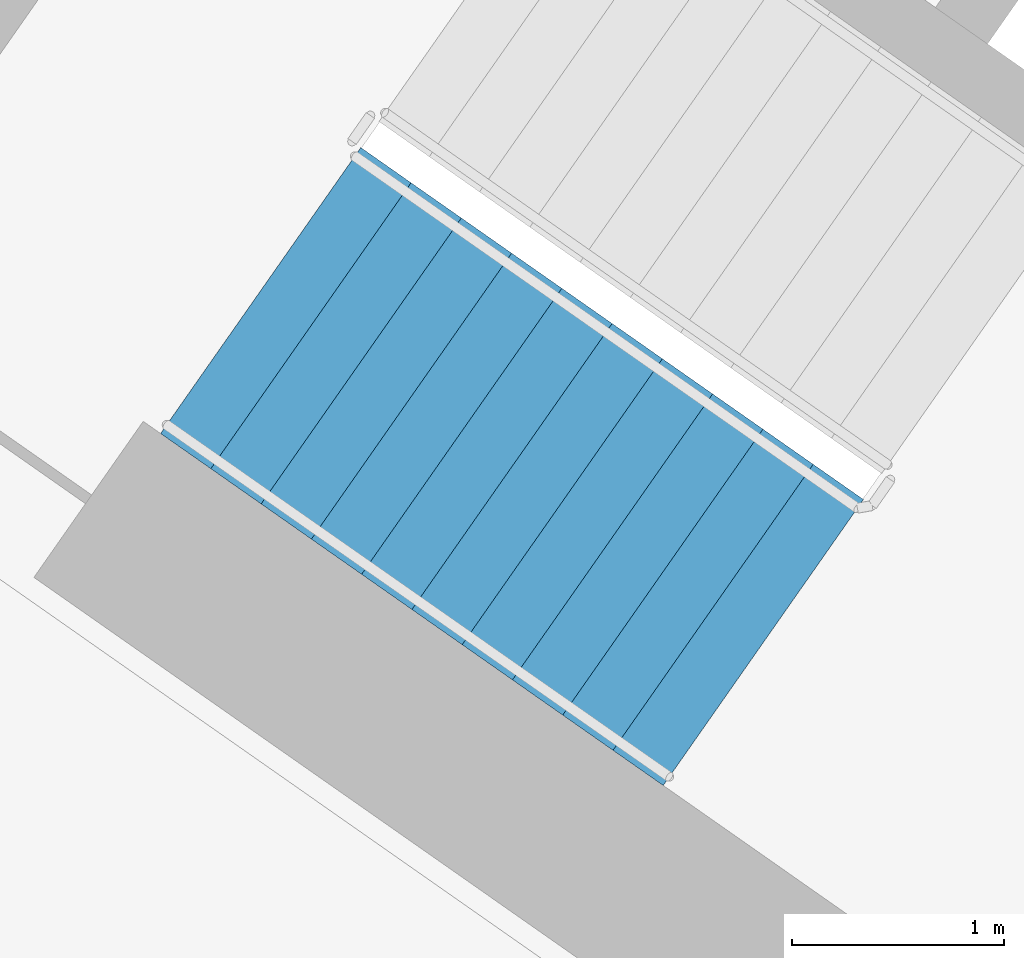
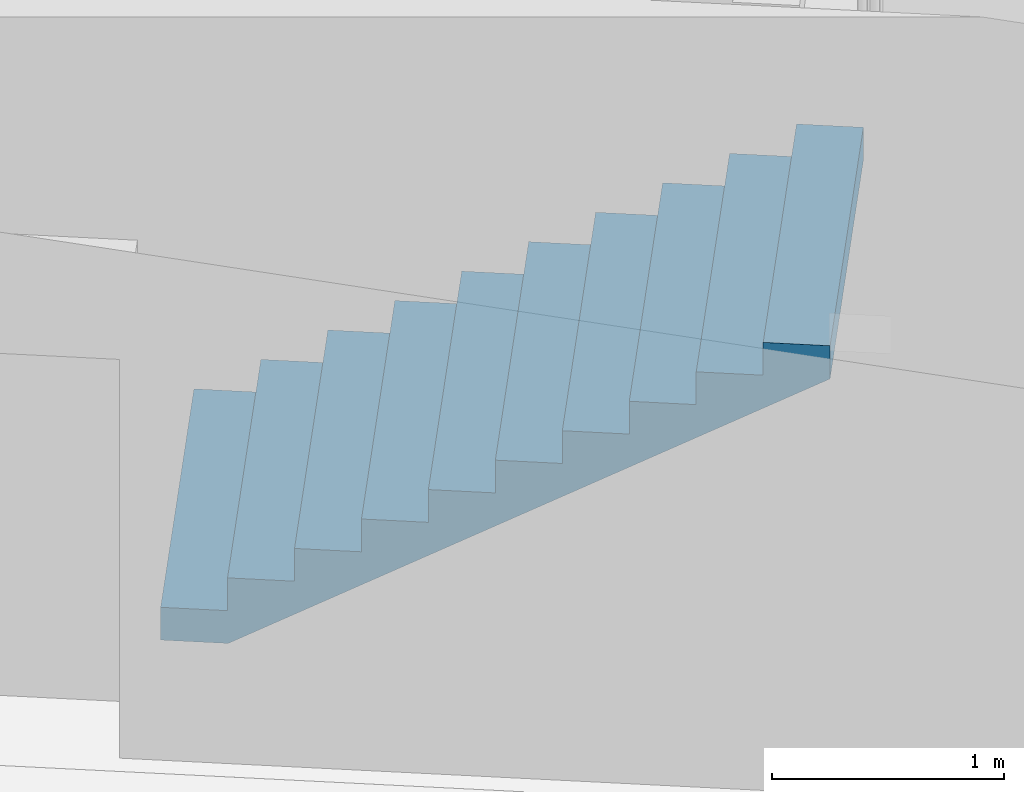
# One storey, part 11 of 30: 1 stair flight, 1 element without a shape of its own.
"""IFC4 building model written with IfcOpenShell, lengths in metres."""

from ifc_helpers import new_model, si_unit, direction, frame, origin, place, context, subcontext, project, spatial, faceted_brep, material, type_object, element, aggregate, save


model = new_model("IFC4")

# Units and contexts
model_context = context("Model", 3, precision=1e-05, world=origin(), true_north=direction((0.0, 1.0)))
body_context = subcontext(model_context, "Body", "Model", "MODEL_VIEW")
ifc_project = project(units=[si_unit("LENGTHUNIT", "METRE"), si_unit("AREAUNIT", "SQUARE_METRE"), si_unit("VOLUMEUNIT", "CUBIC_METRE"), si_unit("PLANEANGLEUNIT", "RADIAN"), si_unit("MASSUNIT", "GRAM", prefix="KILO")], contexts=[model_context])

# Site, building, storey
site_placement = place(None, origin())
site = spatial("IfcSite", under=ifc_project, at=site_placement, CompositionType="ELEMENT")
building_placement = place(site_placement, origin())
building = spatial("IfcBuilding", under=site, at=building_placement, Name="Qamariyya Broadcast Tower", CompositionType="ELEMENT")
storey_placement = place(building_placement, frame((0.0, 0.0, 125.300048828125)))
storey = spatial("IfcBuildingStorey", under=building, at=storey_placement, Name="L28", CompositionType="ELEMENT", Elevation=125.300048828125)

# Stair, stair flight
ifc_material = material(Name="Concrete C50/60", Category="concrete")
stair_type = type_object("IfcStairType", Name="Exit stair 22 risers of 173 mm", PredefinedType="HALF_TURN_STAIR", material=ifc_material)
stair_placement = place(storey_placement, origin())
stair = element("IfcStair", 1, at=stair_placement, inside=storey, type_object=stair_type, Name="L28 Stair W1", PredefinedType="HALF_TURN_STAIR")
stair_flight_type = type_object("IfcStairFlightType", Name="Exit stair flight 11 risers of 173 mm", PredefinedType="STRAIGHT", material=ifc_material)
stair_flight_placement = place(storey_placement, frame((-47.06884765625, -56.982666015625, 0.0), z_axis=(0.0, 0.0, 1.0), x_axis=(0.819152044289, -0.573576436351, 0.0)))
stair_flight = element("IfcStairFlight", 2, at=stair_flight_placement, type_object=stair_flight_type, Name="ST-W1 flight 1", NumberOfRisers=11, NumberOfTreads=10, PredefinedType="STRAIGHT", RiserHeight=0.172727273, TreadLength=0.29, context=body_context, shape_type="Brep", body=[
    faceted_brep([(0.0, 0.824951171875, 0.0), (0.0, 0.824951171875, 0.172607421875), (0.2900390625, 0.824951171875, 0.172607421875), (0.2900390625, 0.824951171875, 0.345458984375), (0.580078125, 0.824951171875, 0.345458984375), (0.580078125, 0.824951171875, 0.51806640625), (0.8701171875, 0.824951171875, 0.51806640625), (0.8701171875, 0.824951171875, 0.69091796875), (1.159912109375, 0.824951171875, 0.69091796875), (1.159912109375, 0.824951171875, 0.863525390625), (1.449951171875, 0.824951171875, 0.863525390625), (1.449951171875, 0.824951171875, 1.036376953125), (1.739990234375, 0.824951171875, 1.036376953125), (1.739990234375, 0.824951171875, 1.208984375), (2.030029296875, 0.824951171875, 1.208984375), (2.030029296875, 0.824951171875, 1.3818359375), (2.320068359375, 0.824951171875, 1.3818359375), (2.320068359375, 0.824951171875, 1.554443359375), (2.610107421875, 0.824951171875, 1.554443359375), (2.610107421875, 0.824951171875, 1.727294921875), (2.89990234375, 0.824951171875, 1.727294921875), (2.89990234375, 0.824951171875, 1.552734375), (0.29296875, 0.824951171875, 0.0), (0.29296875, -0.824951171875, 0.0), (2.89990234375, -0.824951171875, 1.552734375), (2.89990234375, -0.824951171875, 1.727294921875), (2.610107421875, -0.824951171875, 1.727294921875), (2.610107421875, -0.824951171875, 1.554443359375), (2.320068359375, -0.824951171875, 1.554443359375), (2.320068359375, -0.824951171875, 1.3818359375), (2.030029296875, -0.824951171875, 1.3818359375), (2.030029296875, -0.824951171875, 1.208984375), (1.739990234375, -0.824951171875, 1.208984375), (1.739990234375, -0.824951171875, 1.036376953125), (1.449951171875, -0.824951171875, 1.036376953125), (1.449951171875, -0.824951171875, 0.863525390625), (1.159912109375, -0.824951171875, 0.863525390625), (1.159912109375, -0.824951171875, 0.69091796875), (0.8701171875, -0.824951171875, 0.69091796875), (0.8701171875, -0.824951171875, 0.51806640625), (0.580078125, -0.824951171875, 0.51806640625), (0.580078125, -0.824951171875, 0.345458984375), (0.2900390625, -0.824951171875, 0.345458984375), (0.2900390625, -0.824951171875, 0.172607421875), (0.0, -0.824951171875, 0.172607421875), (0.0, -0.824951171875, 0.0), (0.0, 0.10009765625, 0.0), (0.0, 0.086669921875, 0.0), (0.0, 0.0732421875, 0.0), (0.0, 0.06005859375, 0.0), (0.0, 0.046630859375, 0.0), (0.0, 0.033447265625, 0.0), (0.0, 0.02001953125, 0.0), (0.0, 0.006591796875, 0.0), (0.0, -0.006591796875, 0.0), (0.0, -0.02001953125, 0.0), (0.0, -0.033447265625, 0.0), (0.0, -0.046630859375, 0.0), (0.0, -0.06005859375, 0.0), (0.0, -0.0732421875, 0.0), (0.0, -0.086669921875, 0.0), (0.0, -0.10009765625, 0.0), (0.0, -0.10009765625, 0.172607421875), (0.0, -0.086669921875, 0.172607421875), (0.0, -0.0732421875, 0.172607421875), (0.0, -0.06005859375, 0.172607421875), (0.0, -0.046630859375, 0.172607421875), (0.0, -0.033447265625, 0.172607421875), (0.0, -0.02001953125, 0.172607421875), (0.0, -0.006591796875, 0.172607421875), (0.0, 0.006591796875, 0.172607421875), (0.0, 0.02001953125, 0.172607421875), (0.0, 0.033447265625, 0.172607421875), (0.0, 0.046630859375, 0.172607421875), (0.0, 0.06005859375, 0.172607421875), (0.0, 0.0732421875, 0.172607421875), (0.0, 0.086669921875, 0.172607421875), (0.0, 0.10009765625, 0.172607421875), (0.2900390625, -0.10009765625, 0.172607421875), (0.2900390625, -0.086669921875, 0.172607421875), (0.2900390625, -0.0732421875, 0.172607421875), (0.2900390625, -0.06005859375, 0.172607421875), (0.2900390625, -0.046630859375, 0.172607421875), (0.2900390625, -0.033447265625, 0.172607421875), (0.2900390625, -0.02001953125, 0.172607421875), (0.2900390625, -0.006591796875, 0.172607421875), (0.2900390625, 0.006591796875, 0.172607421875), (0.2900390625, 0.02001953125, 0.172607421875), (0.2900390625, 0.033447265625, 0.172607421875), (0.2900390625, 0.046630859375, 0.172607421875), (0.2900390625, 0.06005859375, 0.172607421875), (0.2900390625, 0.0732421875, 0.172607421875), (0.2900390625, 0.086669921875, 0.172607421875), (0.2900390625, 0.10009765625, 0.172607421875), (0.2900390625, -0.10009765625, 0.345458984375), (0.2900390625, -0.086669921875, 0.345458984375), (0.2900390625, -0.0732421875, 0.345458984375), (0.2900390625, -0.06005859375, 0.345458984375), (0.2900390625, -0.046630859375, 0.345458984375), (0.2900390625, -0.033447265625, 0.345458984375), (0.2900390625, -0.02001953125, 0.345458984375), (0.2900390625, -0.006591796875, 0.345458984375), (0.2900390625, 0.006591796875, 0.345458984375), (0.2900390625, 0.02001953125, 0.345458984375), (0.2900390625, 0.033447265625, 0.345458984375), (0.2900390625, 0.046630859375, 0.345458984375), (0.2900390625, 0.06005859375, 0.345458984375), (0.2900390625, 0.0732421875, 0.345458984375), (0.2900390625, 0.086669921875, 0.345458984375), (0.2900390625, 0.10009765625, 0.345458984375), (0.580078125, -0.10009765625, 0.345458984375), (0.580078125, -0.086669921875, 0.345458984375), (0.580078125, -0.0732421875, 0.345458984375), (0.580078125, -0.06005859375, 0.345458984375), (0.580078125, -0.046630859375, 0.345458984375), (0.580078125, -0.033447265625, 0.345458984375), (0.580078125, -0.02001953125, 0.345458984375), (0.580078125, -0.006591796875, 0.345458984375), (0.580078125, 0.006591796875, 0.345458984375), (0.580078125, 0.02001953125, 0.345458984375), (0.580078125, 0.033447265625, 0.345458984375), (0.580078125, 0.046630859375, 0.345458984375), (0.580078125, 0.06005859375, 0.345458984375), (0.580078125, 0.0732421875, 0.345458984375), (0.580078125, 0.086669921875, 0.345458984375), (0.580078125, 0.10009765625, 0.345458984375), (0.580078125, -0.10009765625, 0.51806640625), (0.580078125, -0.086669921875, 0.51806640625), (0.580078125, -0.0732421875, 0.51806640625), (0.580078125, -0.06005859375, 0.51806640625), (0.580078125, -0.046630859375, 0.51806640625), (0.580078125, -0.033447265625, 0.51806640625), (0.580078125, -0.02001953125, 0.51806640625), (0.580078125, -0.006591796875, 0.51806640625), (0.580078125, 0.006591796875, 0.51806640625), (0.580078125, 0.02001953125, 0.51806640625), (0.580078125, 0.033447265625, 0.51806640625), (0.580078125, 0.046630859375, 0.51806640625), (0.580078125, 0.06005859375, 0.51806640625), (0.580078125, 0.0732421875, 0.51806640625), (0.580078125, 0.086669921875, 0.51806640625), (0.580078125, 0.10009765625, 0.51806640625), (0.8701171875, -0.10009765625, 0.51806640625), (0.8701171875, -0.086669921875, 0.51806640625), (0.8701171875, -0.0732421875, 0.51806640625), (0.8701171875, -0.06005859375, 0.51806640625), (0.8701171875, -0.046630859375, 0.51806640625), (0.8701171875, -0.033447265625, 0.51806640625), (0.8701171875, -0.02001953125, 0.51806640625), (0.8701171875, -0.006591796875, 0.51806640625), (0.8701171875, 0.006591796875, 0.51806640625), (0.8701171875, 0.02001953125, 0.51806640625), (0.8701171875, 0.033447265625, 0.51806640625), (0.8701171875, 0.046630859375, 0.51806640625), (0.8701171875, 0.06005859375, 0.51806640625), (0.8701171875, 0.0732421875, 0.51806640625), (0.8701171875, 0.086669921875, 0.51806640625), (0.8701171875, 0.10009765625, 0.51806640625), (0.8701171875, -0.10009765625, 0.69091796875), (0.8701171875, -0.086669921875, 0.69091796875), (0.8701171875, -0.0732421875, 0.69091796875), (0.8701171875, -0.06005859375, 0.69091796875), (0.8701171875, -0.046630859375, 0.69091796875), (0.8701171875, -0.033447265625, 0.69091796875), (0.8701171875, -0.02001953125, 0.69091796875), (0.8701171875, -0.006591796875, 0.69091796875), (0.8701171875, 0.006591796875, 0.69091796875), (0.8701171875, 0.02001953125, 0.69091796875), (0.8701171875, 0.033447265625, 0.69091796875), (0.8701171875, 0.046630859375, 0.69091796875), (0.8701171875, 0.06005859375, 0.69091796875), (0.8701171875, 0.0732421875, 0.69091796875), (0.8701171875, 0.086669921875, 0.69091796875), (0.8701171875, 0.10009765625, 0.69091796875), (1.159912109375, -0.10009765625, 0.69091796875), (1.159912109375, -0.086669921875, 0.69091796875), (1.159912109375, -0.0732421875, 0.69091796875), (1.159912109375, -0.06005859375, 0.69091796875), (1.159912109375, -0.046630859375, 0.69091796875), (1.159912109375, -0.033447265625, 0.69091796875), (1.159912109375, -0.02001953125, 0.69091796875), (1.159912109375, -0.006591796875, 0.69091796875), (1.159912109375, 0.006591796875, 0.69091796875), (1.159912109375, 0.02001953125, 0.69091796875), (1.159912109375, 0.033447265625, 0.69091796875), (1.159912109375, 0.046630859375, 0.69091796875), (1.159912109375, 0.06005859375, 0.69091796875), (1.159912109375, 0.0732421875, 0.69091796875), (1.159912109375, 0.086669921875, 0.69091796875), (1.159912109375, 0.10009765625, 0.69091796875), (1.159912109375, -0.10009765625, 0.863525390625), (1.159912109375, -0.086669921875, 0.863525390625), (1.159912109375, -0.0732421875, 0.863525390625), (1.159912109375, -0.06005859375, 0.863525390625), (1.159912109375, -0.046630859375, 0.863525390625), (1.159912109375, -0.033447265625, 0.863525390625), (1.159912109375, -0.02001953125, 0.863525390625), (1.159912109375, -0.006591796875, 0.863525390625), (1.159912109375, 0.006591796875, 0.863525390625), (1.159912109375, 0.02001953125, 0.863525390625), (1.159912109375, 0.033447265625, 0.863525390625), (1.159912109375, 0.046630859375, 0.863525390625), (1.159912109375, 0.06005859375, 0.863525390625), (1.159912109375, 0.0732421875, 0.863525390625), (1.159912109375, 0.086669921875, 0.863525390625), (1.159912109375, 0.10009765625, 0.863525390625), (1.449951171875, -0.10009765625, 0.863525390625), (1.449951171875, -0.086669921875, 0.863525390625), (1.449951171875, -0.0732421875, 0.863525390625), (1.449951171875, -0.06005859375, 0.863525390625), (1.449951171875, -0.046630859375, 0.863525390625), (1.449951171875, -0.033447265625, 0.863525390625), (1.449951171875, -0.02001953125, 0.863525390625), (1.449951171875, -0.006591796875, 0.863525390625), (1.449951171875, 0.006591796875, 0.863525390625), (1.449951171875, 0.02001953125, 0.863525390625), (1.449951171875, 0.033447265625, 0.863525390625), (1.449951171875, 0.046630859375, 0.863525390625), (1.449951171875, 0.06005859375, 0.863525390625), (1.449951171875, 0.0732421875, 0.863525390625), (1.449951171875, 0.086669921875, 0.863525390625), (1.449951171875, 0.10009765625, 0.863525390625), (1.449951171875, -0.10009765625, 1.036376953125), (1.449951171875, -0.086669921875, 1.036376953125), (1.449951171875, -0.0732421875, 1.036376953125), (1.449951171875, -0.06005859375, 1.036376953125), (1.449951171875, -0.046630859375, 1.036376953125), (1.449951171875, -0.033447265625, 1.036376953125), (1.449951171875, -0.02001953125, 1.036376953125), (1.449951171875, -0.006591796875, 1.036376953125), (1.449951171875, 0.006591796875, 1.036376953125), (1.449951171875, 0.02001953125, 1.036376953125), (1.449951171875, 0.033447265625, 1.036376953125), (1.449951171875, 0.046630859375, 1.036376953125), (1.449951171875, 0.06005859375, 1.036376953125), (1.449951171875, 0.0732421875, 1.036376953125), (1.449951171875, 0.086669921875, 1.036376953125), (1.449951171875, 0.10009765625, 1.036376953125), (1.739990234375, -0.10009765625, 1.036376953125), (1.739990234375, -0.086669921875, 1.036376953125), (1.739990234375, -0.0732421875, 1.036376953125), (1.739990234375, -0.06005859375, 1.036376953125), (1.739990234375, -0.046630859375, 1.036376953125), (1.739990234375, -0.033447265625, 1.036376953125), (1.739990234375, -0.02001953125, 1.036376953125), (1.739990234375, -0.006591796875, 1.036376953125), (1.739990234375, 0.006591796875, 1.036376953125), (1.739990234375, 0.02001953125, 1.036376953125), (1.739990234375, 0.033447265625, 1.036376953125), (1.739990234375, 0.046630859375, 1.036376953125), (1.739990234375, 0.06005859375, 1.036376953125), (1.739990234375, 0.0732421875, 1.036376953125), (1.739990234375, 0.086669921875, 1.036376953125), (1.739990234375, 0.10009765625, 1.036376953125), (1.739990234375, -0.10009765625, 1.208984375), (1.739990234375, -0.086669921875, 1.208984375), (1.739990234375, -0.0732421875, 1.208984375), (1.739990234375, -0.06005859375, 1.208984375), (1.739990234375, -0.046630859375, 1.208984375), (1.739990234375, -0.033447265625, 1.208984375), (1.739990234375, -0.02001953125, 1.208984375), (1.739990234375, -0.006591796875, 1.208984375), (1.739990234375, 0.006591796875, 1.208984375), (1.739990234375, 0.02001953125, 1.208984375), (1.739990234375, 0.033447265625, 1.208984375), (1.739990234375, 0.046630859375, 1.208984375), (1.739990234375, 0.06005859375, 1.208984375), (1.739990234375, 0.0732421875, 1.208984375), (1.739990234375, 0.086669921875, 1.208984375), (1.739990234375, 0.10009765625, 1.208984375), (2.030029296875, -0.10009765625, 1.208984375), (2.030029296875, -0.086669921875, 1.208984375), (2.030029296875, -0.0732421875, 1.208984375), (2.030029296875, -0.06005859375, 1.208984375), (2.030029296875, -0.046630859375, 1.208984375), (2.030029296875, -0.033447265625, 1.208984375), (2.030029296875, -0.02001953125, 1.208984375), (2.030029296875, -0.006591796875, 1.208984375), (2.030029296875, 0.006591796875, 1.208984375), (2.030029296875, 0.02001953125, 1.208984375), (2.030029296875, 0.033447265625, 1.208984375), (2.030029296875, 0.046630859375, 1.208984375), (2.030029296875, 0.06005859375, 1.208984375), (2.030029296875, 0.0732421875, 1.208984375), (2.030029296875, 0.086669921875, 1.208984375), (2.030029296875, 0.10009765625, 1.208984375), (2.030029296875, -0.10009765625, 1.3818359375), (2.030029296875, -0.086669921875, 1.3818359375), (2.030029296875, -0.0732421875, 1.3818359375), (2.030029296875, -0.06005859375, 1.3818359375), (2.030029296875, -0.046630859375, 1.3818359375), (2.030029296875, -0.033447265625, 1.3818359375), (2.030029296875, -0.02001953125, 1.3818359375), (2.030029296875, -0.006591796875, 1.3818359375), (2.030029296875, 0.006591796875, 1.3818359375), (2.030029296875, 0.02001953125, 1.3818359375), (2.030029296875, 0.033447265625, 1.3818359375), (2.030029296875, 0.046630859375, 1.3818359375), (2.030029296875, 0.06005859375, 1.3818359375), (2.030029296875, 0.0732421875, 1.3818359375), (2.030029296875, 0.086669921875, 1.3818359375), (2.030029296875, 0.10009765625, 1.3818359375), (2.320068359375, -0.10009765625, 1.3818359375), (2.320068359375, -0.086669921875, 1.3818359375), (2.320068359375, -0.0732421875, 1.3818359375), (2.320068359375, -0.06005859375, 1.3818359375), (2.320068359375, -0.046630859375, 1.3818359375), (2.320068359375, -0.033447265625, 1.3818359375), (2.320068359375, -0.02001953125, 1.3818359375), (2.320068359375, -0.006591796875, 1.3818359375), (2.320068359375, 0.006591796875, 1.3818359375), (2.320068359375, 0.02001953125, 1.3818359375), (2.320068359375, 0.033447265625, 1.3818359375), (2.320068359375, 0.046630859375, 1.3818359375), (2.320068359375, 0.06005859375, 1.3818359375), (2.320068359375, 0.0732421875, 1.3818359375), (2.320068359375, 0.086669921875, 1.3818359375), (2.320068359375, 0.10009765625, 1.3818359375), (2.320068359375, -0.10009765625, 1.554443359375), (2.320068359375, -0.086669921875, 1.554443359375), (2.320068359375, -0.0732421875, 1.554443359375), (2.320068359375, -0.06005859375, 1.554443359375), (2.320068359375, -0.046630859375, 1.554443359375), (2.320068359375, -0.033447265625, 1.554443359375), (2.320068359375, -0.02001953125, 1.554443359375), (2.320068359375, -0.006591796875, 1.554443359375), (2.320068359375, 0.006591796875, 1.554443359375), (2.320068359375, 0.02001953125, 1.554443359375), (2.320068359375, 0.033447265625, 1.554443359375), (2.320068359375, 0.046630859375, 1.554443359375), (2.320068359375, 0.06005859375, 1.554443359375), (2.320068359375, 0.0732421875, 1.554443359375), (2.320068359375, 0.086669921875, 1.554443359375), (2.320068359375, 0.10009765625, 1.554443359375), (2.610107421875, -0.10009765625, 1.554443359375), (2.610107421875, -0.086669921875, 1.554443359375), (2.610107421875, -0.0732421875, 1.554443359375), (2.610107421875, -0.06005859375, 1.554443359375), (2.610107421875, -0.046630859375, 1.554443359375), (2.610107421875, -0.033447265625, 1.554443359375), (2.610107421875, -0.02001953125, 1.554443359375), (2.610107421875, -0.006591796875, 1.554443359375), (2.610107421875, 0.006591796875, 1.554443359375), (2.610107421875, 0.02001953125, 1.554443359375), (2.610107421875, 0.033447265625, 1.554443359375), (2.610107421875, 0.046630859375, 1.554443359375), (2.610107421875, 0.06005859375, 1.554443359375), (2.610107421875, 0.0732421875, 1.554443359375), (2.610107421875, 0.086669921875, 1.554443359375), (2.610107421875, 0.10009765625, 1.554443359375), (2.610107421875, -0.10009765625, 1.727294921875), (2.610107421875, -0.086669921875, 1.727294921875), (2.610107421875, -0.0732421875, 1.727294921875), (2.610107421875, -0.06005859375, 1.727294921875), (2.610107421875, -0.046630859375, 1.727294921875), (2.610107421875, -0.033447265625, 1.727294921875), (2.610107421875, -0.02001953125, 1.727294921875), (2.610107421875, -0.006591796875, 1.727294921875), (2.610107421875, 0.006591796875, 1.727294921875), (2.610107421875, 0.02001953125, 1.727294921875), (2.610107421875, 0.033447265625, 1.727294921875), (2.610107421875, 0.046630859375, 1.727294921875), (2.610107421875, 0.06005859375, 1.727294921875), (2.610107421875, 0.0732421875, 1.727294921875), (2.610107421875, 0.086669921875, 1.727294921875), (2.610107421875, 0.10009765625, 1.727294921875), (2.89990234375, -0.10009765625, 1.727294921875), (2.89990234375, -0.086669921875, 1.727294921875), (2.89990234375, -0.0732421875, 1.727294921875), (2.89990234375, -0.06005859375, 1.727294921875), (2.89990234375, -0.046630859375, 1.727294921875), (2.89990234375, -0.033447265625, 1.727294921875), (2.89990234375, -0.02001953125, 1.727294921875), (2.89990234375, -0.006591796875, 1.727294921875), (2.89990234375, 0.006591796875, 1.727294921875), (2.89990234375, 0.02001953125, 1.727294921875), (2.89990234375, 0.033447265625, 1.727294921875), (2.89990234375, 0.046630859375, 1.727294921875), (2.89990234375, 0.06005859375, 1.727294921875), (2.89990234375, 0.0732421875, 1.727294921875), (2.89990234375, 0.086669921875, 1.727294921875), (2.89990234375, 0.10009765625, 1.727294921875), (2.89990234375, -0.10009765625, 1.552734375), (2.89990234375, -0.086669921875, 1.552734375), (2.89990234375, -0.0732421875, 1.552734375), (2.89990234375, -0.06005859375, 1.552734375), (2.89990234375, -0.046630859375, 1.552734375), (2.89990234375, -0.033447265625, 1.552734375), (2.89990234375, -0.02001953125, 1.552734375), (2.89990234375, -0.006591796875, 1.552734375), (2.89990234375, 0.006591796875, 1.552734375), (2.89990234375, 0.02001953125, 1.552734375), (2.89990234375, 0.033447265625, 1.552734375), (2.89990234375, 0.046630859375, 1.552734375), (2.89990234375, 0.06005859375, 1.552734375), (2.89990234375, 0.0732421875, 1.552734375), (2.89990234375, 0.086669921875, 1.552734375), (2.89990234375, 0.10009765625, 1.552734375), (0.29296875, -0.10009765625, 0.0), (0.29296875, -0.086669921875, 0.0), (0.29296875, -0.0732421875, 0.0), (0.29296875, -0.06005859375, 0.0), (0.29296875, -0.046630859375, 0.0), (0.29296875, -0.033447265625, 0.0), (0.29296875, -0.02001953125, 0.0), (0.29296875, -0.006591796875, 0.0), (0.29296875, 0.006591796875, 0.0), (0.29296875, 0.02001953125, 0.0), (0.29296875, 0.033447265625, 0.0), (0.29296875, 0.046630859375, 0.0), (0.29296875, 0.06005859375, 0.0), (0.29296875, 0.0732421875, 0.0), (0.29296875, 0.086669921875, 0.0), (0.29296875, 0.10009765625, 0.0)], [[[0, 1, 2, 3, 4, 5, 6, 7, 8, 9, 10, 11, 12, 13, 14, 15, 16, 17, 18, 19, 20, 21, 22]], [[23, 24, 25, 26, 27, 28, 29, 30, 31, 32, 33, 34, 35, 36, 37, 38, 39, 40, 41, 42, 43, 44, 45]], [[0, 46, 47, 48, 49, 50, 51, 52, 53, 54, 55, 56, 57, 58, 59, 60, 61, 45, 44, 62, 63, 64, 65, 66, 67, 68, 69, 70, 71, 72, 73, 74, 75, 76, 77, 1]], [[1, 77, 76, 75, 74, 73, 72, 71, 70, 69, 68, 67, 66, 65, 64, 63, 62, 44, 43, 78, 79, 80, 81, 82, 83, 84, 85, 86, 87, 88, 89, 90, 91, 92, 93, 2]], [[2, 93, 92, 91, 90, 89, 88, 87, 86, 85, 84, 83, 82, 81, 80, 79, 78, 43, 42, 94, 95, 96, 97, 98, 99, 100, 101, 102, 103, 104, 105, 106, 107, 108, 109, 3]], [[3, 109, 108, 107, 106, 105, 104, 103, 102, 101, 100, 99, 98, 97, 96, 95, 94, 42, 41, 110, 111, 112, 113, 114, 115, 116, 117, 118, 119, 120, 121, 122, 123, 124, 125, 4]], [[4, 125, 124, 123, 122, 121, 120, 119, 118, 117, 116, 115, 114, 113, 112, 111, 110, 41, 40, 126, 127, 128, 129, 130, 131, 132, 133, 134, 135, 136, 137, 138, 139, 140, 141, 5]], [[5, 141, 140, 139, 138, 137, 136, 135, 134, 133, 132, 131, 130, 129, 128, 127, 126, 40, 39, 142, 143, 144, 145, 146, 147, 148, 149, 150, 151, 152, 153, 154, 155, 156, 157, 6]], [[6, 157, 156, 155, 154, 153, 152, 151, 150, 149, 148, 147, 146, 145, 144, 143, 142, 39, 38, 158, 159, 160, 161, 162, 163, 164, 165, 166, 167, 168, 169, 170, 171, 172, 173, 7]], [[7, 173, 172, 171, 170, 169, 168, 167, 166, 165, 164, 163, 162, 161, 160, 159, 158, 38, 37, 174, 175, 176, 177, 178, 179, 180, 181, 182, 183, 184, 185, 186, 187, 188, 189, 8]], [[8, 189, 188, 187, 186, 185, 184, 183, 182, 181, 180, 179, 178, 177, 176, 175, 174, 37, 36, 190, 191, 192, 193, 194, 195, 196, 197, 198, 199, 200, 201, 202, 203, 204, 205, 9]], [[9, 205, 204, 203, 202, 201, 200, 199, 198, 197, 196, 195, 194, 193, 192, 191, 190, 36, 35, 206, 207, 208, 209, 210, 211, 212, 213, 214, 215, 216, 217, 218, 219, 220, 221, 10]], [[10, 221, 220, 219, 218, 217, 216, 215, 214, 213, 212, 211, 210, 209, 208, 207, 206, 35, 34, 222, 223, 224, 225, 226, 227, 228, 229, 230, 231, 232, 233, 234, 235, 236, 237, 11]], [[11, 237, 236, 235, 234, 233, 232, 231, 230, 229, 228, 227, 226, 225, 224, 223, 222, 34, 33, 238, 239, 240, 241, 242, 243, 244, 245, 246, 247, 248, 249, 250, 251, 252, 253, 12]], [[12, 253, 252, 251, 250, 249, 248, 247, 246, 245, 244, 243, 242, 241, 240, 239, 238, 33, 32, 254, 255, 256, 257, 258, 259, 260, 261, 262, 263, 264, 265, 266, 267, 268, 269, 13]], [[13, 269, 268, 267, 266, 265, 264, 263, 262, 261, 260, 259, 258, 257, 256, 255, 254, 32, 31, 270, 271, 272, 273, 274, 275, 276, 277, 278, 279, 280, 281, 282, 283, 284, 285, 14]], [[14, 285, 284, 283, 282, 281, 280, 279, 278, 277, 276, 275, 274, 273, 272, 271, 270, 31, 30, 286, 287, 288, 289, 290, 291, 292, 293, 294, 295, 296, 297, 298, 299, 300, 301, 15]], [[15, 301, 300, 299, 298, 297, 296, 295, 294, 293, 292, 291, 290, 289, 288, 287, 286, 30, 29, 302, 303, 304, 305, 306, 307, 308, 309, 310, 311, 312, 313, 314, 315, 316, 317, 16]], [[16, 317, 316, 315, 314, 313, 312, 311, 310, 309, 308, 307, 306, 305, 304, 303, 302, 29, 28, 318, 319, 320, 321, 322, 323, 324, 325, 326, 327, 328, 329, 330, 331, 332, 333, 17]], [[17, 333, 332, 331, 330, 329, 328, 327, 326, 325, 324, 323, 322, 321, 320, 319, 318, 28, 27, 334, 335, 336, 337, 338, 339, 340, 341, 342, 343, 344, 345, 346, 347, 348, 349, 18]], [[18, 349, 348, 347, 346, 345, 344, 343, 342, 341, 340, 339, 338, 337, 336, 335, 334, 27, 26, 350, 351, 352, 353, 354, 355, 356, 357, 358, 359, 360, 361, 362, 363, 364, 365, 19]], [[19, 365, 364, 363, 362, 361, 360, 359, 358, 357, 356, 355, 354, 353, 352, 351, 350, 26, 25, 366, 367, 368, 369, 370, 371, 372, 373, 374, 375, 376, 377, 378, 379, 380, 381, 20]], [[20, 381, 380, 379, 378, 377, 376, 375, 374, 373, 372, 371, 370, 369, 368, 367, 366, 25, 24, 382, 383, 384, 385, 386, 387, 388, 389, 390, 391, 392, 393, 394, 395, 396, 397, 21]], [[21, 397, 396, 395, 394, 393, 392, 391, 390, 389, 388, 387, 386, 385, 384, 383, 382, 24, 23, 398, 399, 400, 401, 402, 403, 404, 405, 406, 407, 408, 409, 410, 411, 412, 413, 22]], [[22, 413, 412, 411, 410, 409, 408, 407, 406, 405, 404, 403, 402, 401, 400, 399, 398, 23, 45, 61, 60, 59, 58, 57, 56, 55, 54, 53, 52, 51, 50, 49, 48, 47, 46, 0]]]),
])
aggregate(stair, [stair_flight])

save(model, "model.ifc")
